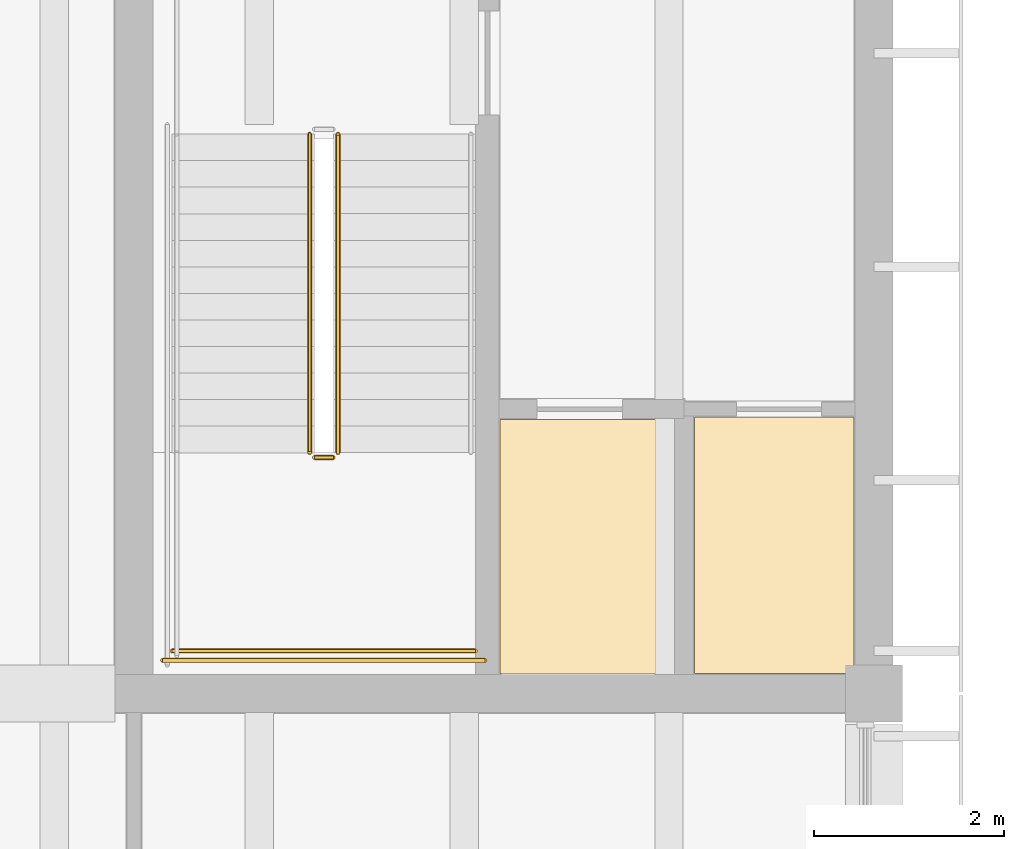
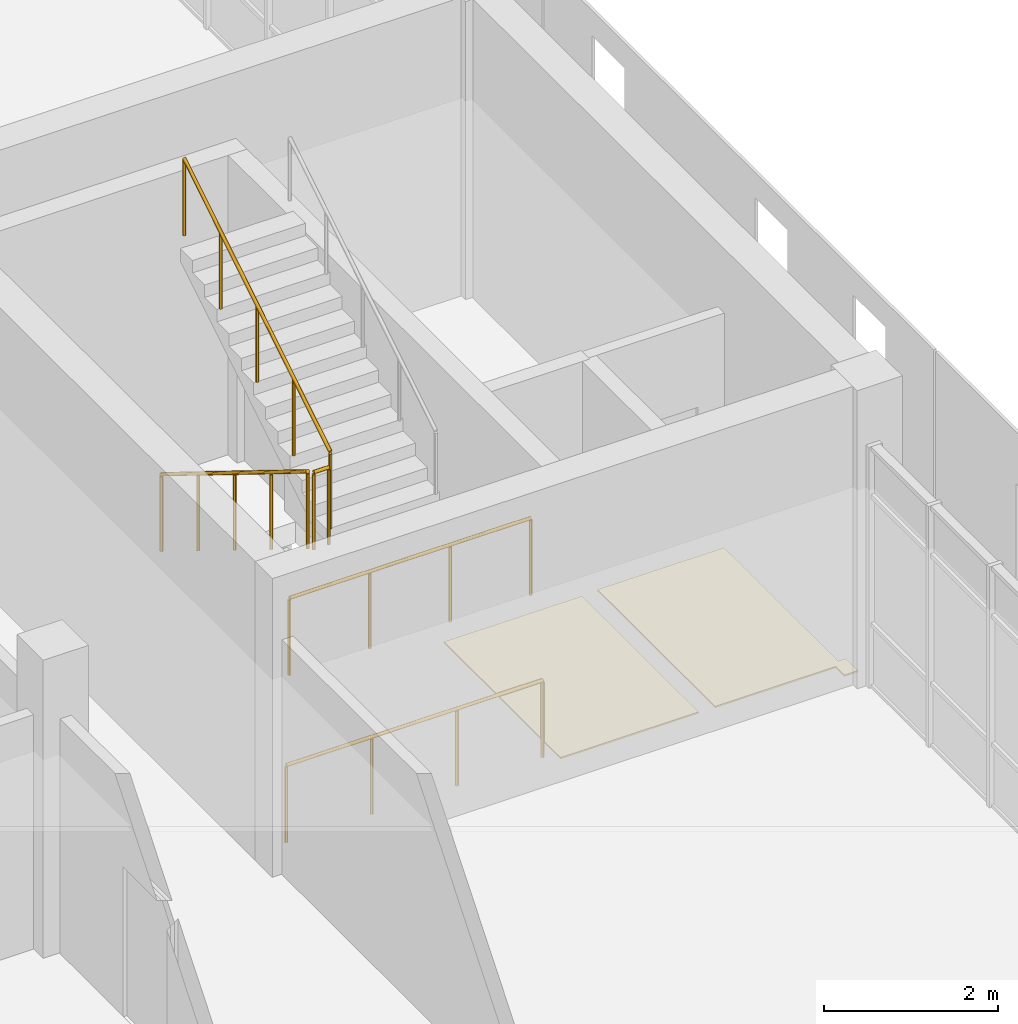
# One storey, part 73 of 88: 5 railings, 2 coverings.
"""IFC4 building model written with IfcOpenShell, lengths in metres."""

from ifc_helpers import new_model, si_unit, direction, frame, origin, origin_2d, place, context, subcontext, project, spatial, polyline, circle, outline, extrude, material, layer, layer_set, type_object, element, save


model = new_model("IFC4")

# Units and contexts
model_context = context("Model", 3, precision=1e-05, world=origin(), true_north=direction((0.0, 1.0)))
body_context = subcontext(model_context, "Body", "Model", "MODEL_VIEW")
ifc_project = project(units=[si_unit("LENGTHUNIT", "METRE"), si_unit("AREAUNIT", "SQUARE_METRE"), si_unit("VOLUMEUNIT", "CUBIC_METRE"), si_unit("PLANEANGLEUNIT", "RADIAN"), si_unit("MASSUNIT", "GRAM", prefix="KILO")], contexts=[model_context])

# Site, building, storey
site_placement = place(None, origin())
site = spatial("IfcSite", under=ifc_project, at=site_placement, CompositionType="ELEMENT")
building_placement = place(site_placement, origin())
building = spatial("IfcBuilding", under=site, at=building_placement, Name="Merrow Basin Faculty of Sciences", CompositionType="ELEMENT")
storey_placement = place(building_placement, frame((0.0, 0.0, 9.0)))
storey = spatial("IfcBuildingStorey", under=building, at=storey_placement, Name="L02", CompositionType="ELEMENT", Elevation=9.0)

# Coverings
ifc_material_1 = material(Name="Carpet tile floor")
ifc_layer_1 = layer(ifc_material_1, 0.02001953125)
ifc_layer_set_1 = layer_set([ifc_layer_1], Name="Carpet tile floor")
covering_type_1 = type_object("IfcCoveringType", Name="Carpet tile floor", PredefinedType="FLOORING", material=ifc_layer_set_1)
covering_1_placement = place(storey_placement, origin())
element("IfcCovering", 1, at=covering_1_placement, inside=storey, type_object=covering_type_1, Name="Floor finish L02-B-008", PredefinedType="FLOORING", context=body_context, shape_type="SweptSolid", body=[
    extrude(outline(polyline([(17.659912109375, 90.889892578125), (19.489990234375, 90.889892578125), (19.489990234375, 88.2099609375), (17.659912109375, 88.2099609375), (17.659912109375, 90.889892578125)])), origin(), (0.0, 0.0, 1.0), 0.02001953125),
])
ifc_material_2 = material(Name="Sealed concrete floor", Category="concrete")
ifc_layer_2 = layer(ifc_material_2, 0.02001953125)
ifc_layer_set_2 = layer_set([ifc_layer_2], Name="Sealed concrete floor")
covering_type_2 = type_object("IfcCoveringType", Name="Sealed concrete floor", PredefinedType="FLOORING", material=ifc_layer_set_2)
covering_2_placement = place(storey_placement, origin())
element("IfcCovering", 2, at=covering_2_placement, inside=storey, type_object=covering_type_2, Name="Floor finish L02-B-009", PredefinedType="FLOORING", context=body_context, shape_type="SweptSolid", body=[
    extrude(outline(polyline([(21.389892578125, 90.9150390625), (21.389892578125, 88.2900390625), (21.489990234375, 88.2900390625), (21.489990234375, 88.010009765625), (21.31005859375, 88.010009765625), (21.31005859375, 88.2099609375), (19.7099609375, 88.2099609375), (19.7099609375, 90.9150390625), (21.389892578125, 90.9150390625)])), origin(), (0.0, 0.0, 1.0), 0.02001953125),
])

# Railings
ifc_material_3 = material(Name="Steel ASTM A36", Category="steel")
railing_type = type_object("IfcRailingType", Name="Steel guard 1100", PredefinedType="GUARDRAIL", material=ifc_material_3)
railing_1_placement = place(storey_placement, frame((15.64990234375, 93.89990234375, 0.173095703125)))
element("IfcRailing", 3, at=railing_1_placement, inside=storey, type_object=railing_type, Name="L02 ST-V4-M stair guard 1", PredefinedType="GUARDRAIL", context=body_context, shape_type="SweptSolid", body=[
    extrude(circle(Radius=0.02392578125, at=origin_2d()), frame((0.0, 0.0, 1.076171875), z_axis=(0.0, -0.850606129759, 0.525803396734), x_axis=(1.0, 0.0, 0.0)), (0.0, 0.0, 1.0), 3.949951171875),
    extrude(circle(Radius=0.02099609375, at=origin_2d()), origin(), (0.0, 0.0, 1.0), 1.052001953125),
    extrude(circle(Radius=0.02099609375, at=origin_2d()), frame((0.0, -0.83984375, 0.519287109375)), (0.0, 0.0, 1.0), 1.052001953125),
    extrude(circle(Radius=0.02099609375, at=origin_2d()), frame((0.0, -1.679931640625, 1.03857421875)), (0.0, 0.0, 1.0), 1.052001953125),
    extrude(circle(Radius=0.02099609375, at=origin_2d()), frame((0.0, -2.52001953125, 1.5576171875)), (0.0, 0.0, 1.0), 1.052001953125),
    extrude(circle(Radius=0.02099609375, at=origin_2d()), frame((0.0, -3.35986328125, 2.076904296875)), (0.0, 0.0, 1.0), 1.052001953125),
])
railing_2_placement = place(storey_placement, frame((15.699951171875, 90.489990234375, 2.25)))
element("IfcRailing", 4, at=railing_2_placement, inside=storey, type_object=railing_type, Name="L02 ST-V4-M stair guard 2", PredefinedType="GUARDRAIL", context=body_context, shape_type="SweptSolid", body=[
    extrude(circle(Radius=0.02392578125, at=origin_2d()), frame((0.0, 0.0, 1.076171875), z_axis=(1.0, 0.0, 0.0), x_axis=(0.0, 1.0, 0.0)), (0.0, 0.0, 1.0), 0.199951171875),
    extrude(circle(Radius=0.02099609375, at=origin_2d()), origin(), (0.0, 0.0, 1.0), 1.052001953125),
    extrude(circle(Radius=0.02099609375, at=origin_2d()), frame((0.199951171875, 0.0, 0.0)), (0.0, 0.0, 1.0), 1.052001953125),
])
railing_3_placement = place(storey_placement, frame((14.199951171875, 88.449951171875, 2.25)))
element("IfcRailing", 5, at=railing_3_placement, inside=storey, type_object=railing_type, Name="L02 ST-V4-M stair guard 4", PredefinedType="GUARDRAIL", context=body_context, shape_type="SweptSolid", body=[
    extrude(circle(Radius=0.02392578125, at=origin_2d()), frame((0.0, 0.0, 1.076171875), z_axis=(1.0, 0.0, 0.0), x_axis=(0.0, 1.0, 0.0)), (0.0, 0.0, 1.0), 3.199951171875),
    extrude(circle(Radius=0.02099609375, at=origin_2d()), origin(), (0.0, 0.0, 1.0), 1.052001953125),
    extrude(circle(Radius=0.02099609375, at=origin_2d()), frame((1.066650390625, 0.0, 0.0)), (0.0, 0.0, 1.0), 1.052001953125),
    extrude(circle(Radius=0.02099609375, at=origin_2d()), frame((2.13330078125, 0.0, 0.0)), (0.0, 0.0, 1.0), 1.052001953125),
    extrude(circle(Radius=0.02099609375, at=origin_2d()), frame((3.199951171875, 0.0, 0.0)), (0.0, 0.0, 1.0), 1.052001953125),
])
railing_4_placement = place(storey_placement, frame((15.949951171875, 90.5400390625, 2.423095703125)))
element("IfcRailing", 6, at=railing_4_placement, inside=storey, type_object=railing_type, Name="L02 ST-V4-M stair guard 5", PredefinedType="GUARDRAIL", context=body_context, shape_type="SweptSolid", body=[
    extrude(circle(Radius=0.02392578125, at=origin_2d()), frame((0.0, 0.0, 1.076171875), z_axis=(0.0, 0.850606129759, 0.525803396734), x_axis=(-1.0, 0.0, 0.0)), (0.0, 0.0, 1.0), 3.949951171875),
    extrude(circle(Radius=0.02099609375, at=origin_2d()), origin(), (0.0, 0.0, 1.0), 1.052001953125),
    extrude(circle(Radius=0.02099609375, at=origin_2d()), frame((0.0, 0.83984375, 0.519287109375)), (0.0, 0.0, 1.0), 1.052001953125),
    extrude(circle(Radius=0.02099609375, at=origin_2d()), frame((0.0, 1.679931640625, 1.03857421875)), (0.0, 0.0, 1.0), 1.052001953125),
    extrude(circle(Radius=0.02099609375, at=origin_2d()), frame((0.0, 2.52001953125, 1.5576171875)), (0.0, 0.0, 1.0), 1.052001953125),
    extrude(circle(Radius=0.02099609375, at=origin_2d()), frame((0.0, 3.35986328125, 2.076904296875)), (0.0, 0.0, 1.0), 1.052001953125),
])
railing_5_placement = place(storey_placement, frame((14.10009765625, 88.35009765625, 0.0)))
element("IfcRailing", 7, at=railing_5_placement, inside=storey, type_object=railing_type, Name="L02 ST-V4-M stair guard 9", PredefinedType="GUARDRAIL", context=body_context, shape_type="SweptSolid", body=[
    extrude(circle(Radius=0.02392578125, at=origin_2d()), frame((0.0, 0.0, 1.076171875), z_axis=(1.0, 0.0, 0.0), x_axis=(0.0, 1.0, 0.0)), (0.0, 0.0, 1.0), 3.39990234375),
    extrude(circle(Radius=0.02099609375, at=origin_2d()), origin(), (0.0, 0.0, 1.0), 1.052001953125),
    extrude(circle(Radius=0.02099609375, at=origin_2d()), frame((1.13330078125, 0.0, 0.0)), (0.0, 0.0, 1.0), 1.052001953125),
    extrude(circle(Radius=0.02099609375, at=origin_2d()), frame((2.2666015625, 0.0, 0.0)), (0.0, 0.0, 1.0), 1.052001953125),
    extrude(circle(Radius=0.02099609375, at=origin_2d()), frame((3.39990234375, 0.0, 0.0)), (0.0, 0.0, 1.0), 1.052001953125),
])

save(model, "model.ifc")
